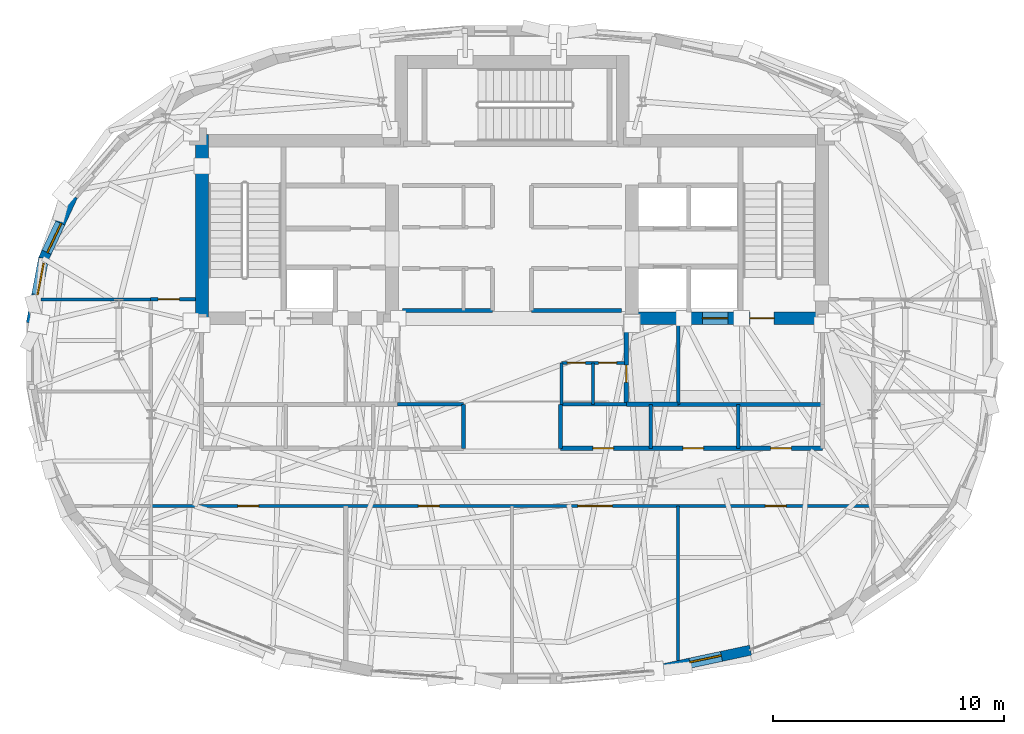
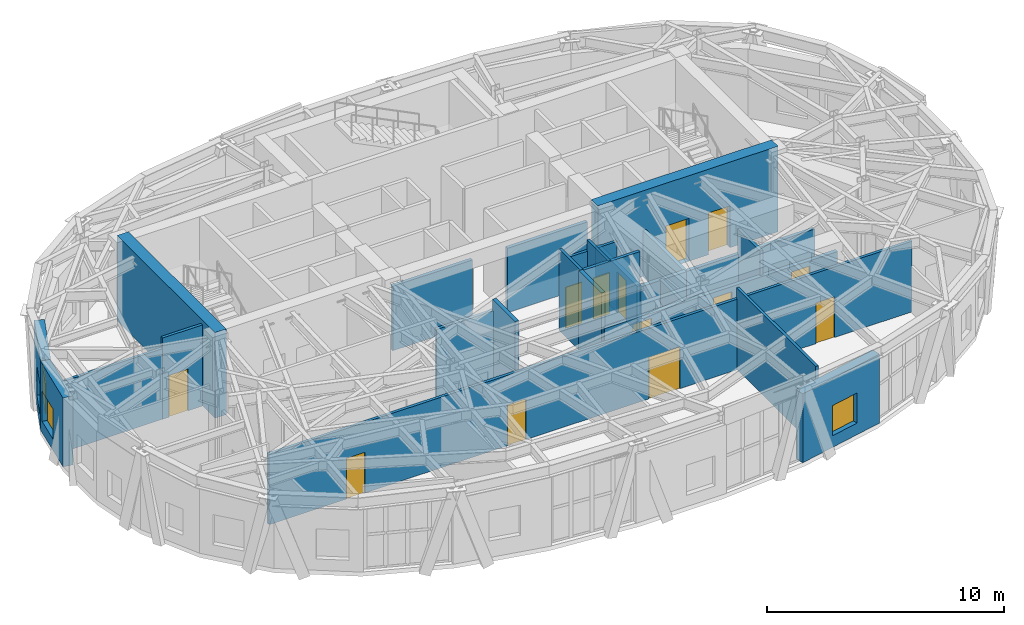
# One storey, part 9 of 15: 25 walls, 13 doors, 3 windows, 16 openings.
"""IFC4 building model written with IfcOpenShell, lengths in metres."""

from ifc_helpers import new_model, si_unit, direction, frame, frame_2d, origin, place, context, subcontext, project, spatial, rectangle, extrude, material, layer, layer_set, type_object, element, fill, save


model = new_model("IFC4")

# Units and contexts
model_context = context("Model", 3, precision=1e-05, world=origin(), true_north=direction((0.0, 1.0)))
body_context = subcontext(model_context, "Body", "Model", "MODEL_VIEW")
ifc_project = project(units=[si_unit("LENGTHUNIT", "METRE"), si_unit("AREAUNIT", "SQUARE_METRE"), si_unit("VOLUMEUNIT", "CUBIC_METRE"), si_unit("PLANEANGLEUNIT", "RADIAN"), si_unit("MASSUNIT", "GRAM", prefix="KILO")], contexts=[model_context])

# Site, building, storey
site_placement = place(None, origin())
site = spatial("IfcSite", under=ifc_project, at=site_placement, CompositionType="ELEMENT")
building_placement = place(site_placement, origin())
building = spatial("IfcBuilding", under=site, at=building_placement, Name="Keldmark Tower", CompositionType="ELEMENT")
storey_placement = place(building_placement, frame((0.0, 0.0, 260.39990234375)))
storey = spatial("IfcBuildingStorey", under=building, at=storey_placement, Name="L74", CompositionType="ELEMENT", Elevation=260.39990234375)

# Wall, openings, doors
ifc_material_1 = material(Name="Acoustic Double-Layer Gypsum Corridor Partition", Category="gypsum")
ifc_layer_1 = layer(ifc_material_1, 0.139892578125)
ifc_layer_set_1 = layer_set([ifc_layer_1], Name="Acoustic Double-Layer Gypsum Corridor Partition")
wall_type_1 = type_object("IfcWallType", Name="Acoustic Corridor Partition 140 mm", PredefinedType="PARTITIONING", material=ifc_layer_set_1)
wall_1_placement = place(storey_placement, frame((-15.64990234375, -6.550048828125, 0.0), z_axis=(0.0, 0.0, 1.0), x_axis=(1.0, 0.0, 0.0)))
wall_1 = element("IfcWall", 1, at=wall_1_placement, inside=storey, type_object=wall_type_1, Name="L74 Acoustic Corridor Partition 140 mm COR-S", PredefinedType="PARTITIONING", context=body_context, shape_type="SweptSolid", body=[
    extrude(rectangle(XDim=31.2998046875, YDim=0.139892578125, at=frame_2d((15.64990234375, 0.0))), origin(), (0.0, 0.0, 1.0), 3.633056640625),
])
opening_1_placement = place(wall_1_placement, frame((3.77490234375, 0.0, 0.0)))
opening_1 = element("IfcOpeningElement", 2, at=opening_1_placement, cuts=wall_1, Name="Opening D-IN090", PredefinedType="OPENING", context=body_context, shape_type="SweptSolid", body=[
    extrude(rectangle(XDim=0.89990234375, YDim=2.10009765625, at=frame_2d((0.449951171875, 1.050048828125))), frame((0.0, 0.079833984375, 0.0), z_axis=(0.0, -1.0, 0.0), x_axis=(1.0, 0.0, 0.0)), (0.0, 0.0, 1.0), 0.159912109375),
])
opening_2_placement = place(wall_1_placement, frame((11.60009765625, 0.0, 0.0)))
opening_2 = element("IfcOpeningElement", 3, at=opening_2_placement, cuts=wall_1, Name="Opening D-IN090", PredefinedType="OPENING", context=body_context, shape_type="SweptSolid", body=[
    extrude(rectangle(XDim=0.89990234375, YDim=2.10009765625, at=frame_2d((0.449951171875, 1.050048828125))), frame((0.0, 0.079833984375, 0.0), z_axis=(0.0, -1.0, 0.0), x_axis=(1.0, 0.0, 0.0)), (0.0, 0.0, 1.0), 0.159912109375),
])
opening_3_placement = place(wall_1_placement, frame((18.5, 0.0, 0.0)))
opening_3 = element("IfcOpeningElement", 4, at=opening_3_placement, cuts=wall_1, Name="Opening D-CF150", PredefinedType="OPENING", context=body_context, shape_type="SweptSolid", body=[
    extrude(rectangle(XDim=1.5, YDim=2.14990234375, at=frame_2d((0.75, 1.074951171875))), frame((0.0, 0.079833984375, 0.0), z_axis=(0.0, -1.0, 0.0), x_axis=(1.0, 0.0, 0.0)), (0.0, 0.0, 1.0), 0.159912109375),
])
opening_4_placement = place(wall_1_placement, frame((26.625, 0.0, 0.0)))
opening_4 = element("IfcOpeningElement", 5, at=opening_4_placement, cuts=wall_1, Name="Opening D-IN090", PredefinedType="OPENING", context=body_context, shape_type="SweptSolid", body=[
    extrude(rectangle(XDim=0.89990234375, YDim=2.10009765625, at=frame_2d((0.449951171875, 1.050048828125))), frame((0.0, 0.079833984375, 0.0), z_axis=(0.0, -1.0, 0.0), x_axis=(1.0, 0.0, 0.0)), (0.0, 0.0, 1.0), 0.159912109375),
])
ifc_material_2 = material(Name="Acoustic Timber and Tempered Glass Double Door", Category="wood")
door_type_1 = type_object("IfcDoorType", Name="Conference Double Door 1500x2150", OperationType="DOUBLE_DOOR_SINGLE_SWING", PredefinedType="DOOR", material=ifc_material_2)
door_1_placement = place(opening_3_placement, origin())
door_1 = element("IfcDoor", 6, at=door_1_placement, inside=storey, type_object=door_type_1, Name="L74 Conference Double Door 1500x2150 D-SR-3-L74", OperationType="DOUBLE_DOOR_SINGLE_SWING", OverallHeight=2.14990234375, OverallWidth=1.5, PredefinedType="DOOR", context=body_context, shape_type="SweptSolid", body=[
    extrude(rectangle(XDim=1.5, YDim=2.14990234375, at=frame_2d((0.75, 1.074951171875))), frame((0.0, 0.02490234375, 0.0), z_axis=(0.0, -1.0, 0.0), x_axis=(1.0, 0.0, 0.0)), (0.0, 0.0, 1.0), 0.050048828125),
])
fill(opening_3, door_1)
ifc_material_3 = material(Name="Stained American White Oak Veneer", Category="wood")
door_type_2 = type_object("IfcDoorType", Name="Interior Door 900x2100", OperationType="NOTDEFINED", PredefinedType="DOOR", material=ifc_material_3)
door_2_placement = place(opening_1_placement, origin())
door_2 = element("IfcDoor", 7, at=door_2_placement, inside=storey, type_object=door_type_2, Name="L74 Interior Door 900x2100 D-SR-1-L74", OperationType="SINGLE_SWING_LEFT", OverallHeight=2.10009765625, OverallWidth=0.89990234375, PredefinedType="DOOR", context=body_context, shape_type="SweptSolid", body=[
    extrude(rectangle(XDim=0.89990234375, YDim=2.10009765625, at=frame_2d((0.449951171875, 1.050048828125))), frame((0.0, 0.02490234375, 0.0), z_axis=(0.0, -1.0, 0.0), x_axis=(1.0, 0.0, 0.0)), (0.0, 0.0, 1.0), 0.050048828125),
])
fill(opening_1, door_2)
door_3_placement = place(opening_2_placement, origin())
door_3 = element("IfcDoor", 8, at=door_3_placement, inside=storey, type_object=door_type_2, Name="L74 Interior Door 900x2100 D-SR-2-L74", OperationType="SINGLE_SWING_RIGHT", OverallHeight=2.10009765625, OverallWidth=0.89990234375, PredefinedType="DOOR", context=body_context, shape_type="SweptSolid", body=[
    extrude(rectangle(XDim=0.89990234375, YDim=2.10009765625, at=frame_2d((0.449951171875, 1.050048828125))), frame((0.0, 0.02490234375, 0.0), z_axis=(0.0, -1.0, 0.0), x_axis=(1.0, 0.0, 0.0)), (0.0, 0.0, 1.0), 0.050048828125),
])
fill(opening_2, door_3)
door_4_placement = place(opening_4_placement, origin())
door_4 = element("IfcDoor", 9, at=door_4_placement, inside=storey, type_object=door_type_2, Name="L74 Interior Door 900x2100 D-SR-4-L74", OperationType="SINGLE_SWING_RIGHT", OverallHeight=2.10009765625, OverallWidth=0.89990234375, PredefinedType="DOOR", context=body_context, shape_type="SweptSolid", body=[
    extrude(rectangle(XDim=0.89990234375, YDim=2.10009765625, at=frame_2d((0.449951171875, 1.050048828125))), frame((0.0, 0.02490234375, 0.0), z_axis=(0.0, -1.0, 0.0), x_axis=(1.0, 0.0, 0.0)), (0.0, 0.0, 1.0), 0.050048828125),
])
fill(opening_4, door_4)

# Wall, opening, door
wall_2_placement = place(storey_placement, frame((-15.64990234375, 2.39990234375, 0.0), z_axis=(0.0, 0.0, 1.0), x_axis=(1.0, 0.0, 0.0)))
wall_2 = element("IfcWall", 10, at=wall_2_placement, inside=storey, type_object=wall_type_1, Name="L74 Acoustic Corridor Partition 140 mm COR-WN-CAP", PredefinedType="PARTITIONING", context=body_context, shape_type="SweptSolid", body=[
    extrude(rectangle(XDim=1.949951171875, YDim=0.139892578125, at=frame_2d((0.97509765625, 0.0))), origin(), (0.0, 0.0, 1.0), 4.18017578125),
])
opening_5_placement = place(wall_2_placement, frame((0.320068359375, 0.0, 0.0)))
opening_5 = element("IfcOpeningElement", 11, at=opening_5_placement, cuts=wall_2, Name="Opening D-EX092", PredefinedType="OPENING", context=body_context, shape_type="SweptSolid", body=[
    extrude(rectangle(XDim=0.919921875, YDim=2.14990234375, at=frame_2d((0.4599609375, 1.074951171875))), frame((0.0, 0.079833984375, 0.0), z_axis=(0.0, -1.0, 0.0), x_axis=(1.0, 0.0, 0.0)), (0.0, 0.0, 1.0), 0.159912109375),
])
ifc_material_4 = material(Name="Flush American Ash Executive Office Door", Category="wood")
door_type_3 = type_object("IfcDoorType", Name="Executive Office Door 920x2150", OperationType="NOTDEFINED", PredefinedType="DOOR", material=ifc_material_4)
door_5_placement = place(opening_5_placement, origin())
door_5 = element("IfcDoor", 12, at=door_5_placement, inside=storey, type_object=door_type_3, Name="L74 Executive Office Door 920x2150 D-NRNW-L74", OperationType="SINGLE_SWING_LEFT", OverallHeight=2.14990234375, OverallWidth=0.919921875, PredefinedType="DOOR", context=body_context, shape_type="SweptSolid", body=[
    extrude(rectangle(XDim=0.919921875, YDim=2.14990234375, at=frame_2d((0.4599609375, 1.074951171875))), frame((0.0, 0.02490234375, 0.0), z_axis=(0.0, -1.0, 0.0), x_axis=(1.0, 0.0, 0.0)), (0.0, 0.0, 1.0), 0.050048828125),
])
fill(opening_5, door_5)

# Wall
ifc_material_5 = material(Name="Heavy Acoustic Plumbing Chase Gypsum Assembly", Category="gypsum")
ifc_layer_2 = layer(ifc_material_5, 0.18994140625)
ifc_layer_set_2 = layer_set([ifc_layer_2], Name="Heavy Acoustic Plumbing Chase Gypsum Assembly")
wall_type_2 = type_object("IfcWallType", Name="Heavy Wet Wall 190 mm", PredefinedType="PLUMBINGWALL", material=ifc_layer_set_2)
wall_3_placement = place(storey_placement, frame((-2.10009765625, -4.050048828125, 0.0), z_axis=(0.0, 0.0, 1.0), x_axis=(0.0, 1.0, 0.0)))
element("IfcWall", 13, at=wall_3_placement, inside=storey, type_object=wall_type_2, Name="L74 Heavy Wet Wall 190 mm SPK-W-E", PredefinedType="PLUMBINGWALL", context=body_context, shape_type="SweptSolid", body=[
    extrude(rectangle(XDim=1.900146484375, YDim=0.18994140625, at=frame_2d((0.9501953125, 0.0))), origin(), (0.0, 0.0, 1.0), 4.18017578125),
])

# Wall, openings, doors
wall_4_placement = place(storey_placement, frame((2.10009765625, -4.050048828125, 0.0), z_axis=(0.0, 0.0, 1.0), x_axis=(1.0, 0.0, 0.0)))
wall_4 = element("IfcWall", 14, at=wall_4_placement, inside=storey, type_object=wall_type_2, Name="L74 Heavy Wet Wall 190 mm SPK-E-S", PredefinedType="PLUMBINGWALL", context=body_context, shape_type="SweptSolid", body=[
    extrude(rectangle(XDim=11.349853515625, YDim=0.18994140625, at=frame_2d((5.6748046875, 0.0))), origin(), (0.0, 0.0, 1.0), 2.3701171875),
])
opening_6_placement = place(wall_4_placement, frame((1.39990234375, 0.0, 0.0)))
opening_6 = element("IfcOpeningElement", 15, at=opening_6_placement, cuts=wall_4, Name="Opening D-IN090", PredefinedType="OPENING", context=body_context, shape_type="SweptSolid", body=[
    extrude(rectangle(XDim=0.89990234375, YDim=2.10009765625, at=frame_2d((0.449951171875, 1.050048828125))), frame((0.0, 0.10498046875, 0.0), z_axis=(0.0, -1.0, 0.0), x_axis=(1.0, 0.0, 0.0)), (0.0, 0.0, 1.0), 0.2099609375),
])
opening_7_placement = place(wall_4_placement, frame((5.300048828125, 0.0, 0.0)))
opening_7 = element("IfcOpeningElement", 16, at=opening_7_placement, cuts=wall_4, Name="Opening D-IN090", PredefinedType="OPENING", context=body_context, shape_type="SweptSolid", body=[
    extrude(rectangle(XDim=0.89990234375, YDim=2.10009765625, at=frame_2d((0.449951171875, 1.050048828125))), frame((0.0, 0.10498046875, 0.0), z_axis=(0.0, -1.0, 0.0), x_axis=(1.0, 0.0, 0.0)), (0.0, 0.0, 1.0), 0.2099609375),
])
opening_8_placement = place(wall_4_placement, frame((9.10009765625, 0.0, 0.0)))
opening_8 = element("IfcOpeningElement", 17, at=opening_8_placement, cuts=wall_4, Name="Opening D-IN090", PredefinedType="OPENING", context=body_context, shape_type="SweptSolid", body=[
    extrude(rectangle(XDim=0.89990234375, YDim=2.10009765625, at=frame_2d((0.449951171875, 1.050048828125))), frame((0.0, 0.10498046875, 0.0), z_axis=(0.0, -1.0, 0.0), x_axis=(1.0, 0.0, 0.0)), (0.0, 0.0, 1.0), 0.2099609375),
])
door_6_placement = place(opening_6_placement, origin())
door_6 = element("IfcDoor", 18, at=door_6_placement, inside=storey, type_object=door_type_2, Name="L74 Interior Door 900x2100 D-SPKE1-L74", OperationType="SINGLE_SWING_RIGHT", OverallHeight=2.10009765625, OverallWidth=0.89990234375, PredefinedType="DOOR", context=body_context, shape_type="SweptSolid", body=[
    extrude(rectangle(XDim=0.89990234375, YDim=2.10009765625, at=frame_2d((0.449951171875, 1.050048828125))), frame((0.0, 0.02490234375, 0.0), z_axis=(0.0, -1.0, 0.0), x_axis=(1.0, 0.0, 0.0)), (0.0, 0.0, 1.0), 0.050048828125),
])
fill(opening_6, door_6)
door_7_placement = place(opening_7_placement, origin())
door_7 = element("IfcDoor", 19, at=door_7_placement, inside=storey, type_object=door_type_2, Name="L74 Interior Door 900x2100 D-SPKE2-L74", OperationType="SINGLE_SWING_LEFT", OverallHeight=2.10009765625, OverallWidth=0.89990234375, PredefinedType="DOOR", context=body_context, shape_type="SweptSolid", body=[
    extrude(rectangle(XDim=0.89990234375, YDim=2.10009765625, at=frame_2d((0.449951171875, 1.050048828125))), frame((0.0, 0.02490234375, 0.0), z_axis=(0.0, -1.0, 0.0), x_axis=(1.0, 0.0, 0.0)), (0.0, 0.0, 1.0), 0.050048828125),
])
fill(opening_7, door_7)
door_8_placement = place(opening_8_placement, origin())
door_8 = element("IfcDoor", 20, at=door_8_placement, inside=storey, type_object=door_type_2, Name="L74 Interior Door 900x2100 D-SPKE3-L74", OperationType="SINGLE_SWING_RIGHT", OverallHeight=2.10009765625, OverallWidth=0.89990234375, PredefinedType="DOOR", context=body_context, shape_type="SweptSolid", body=[
    extrude(rectangle(XDim=0.89990234375, YDim=2.10009765625, at=frame_2d((0.449951171875, 1.050048828125))), frame((0.0, 0.02490234375, 0.0), z_axis=(0.0, -1.0, 0.0), x_axis=(1.0, 0.0, 0.0)), (0.0, 0.0, 1.0), 0.050048828125),
])
fill(opening_8, door_8)

# Walls
wall_5_placement = place(storey_placement, frame((2.10009765625, -4.050048828125, 0.0), z_axis=(0.0, 0.0, 1.0), x_axis=(0.0, 1.0, 0.0)))
element("IfcWall", 21, at=wall_5_placement, inside=storey, type_object=wall_type_2, Name="L74 Heavy Wet Wall 190 mm SPK-E-W", PredefinedType="PLUMBINGWALL", context=body_context, shape_type="SweptSolid", body=[
    extrude(rectangle(XDim=1.900146484375, YDim=0.18994140625, at=frame_2d((0.9501953125, 0.0))), origin(), (0.0, 0.0, 1.0), 4.18017578125),
])
ifc_material_6 = material(Name="Concrete C50/60", Category="concrete")
ifc_layer_3 = layer(ifc_material_6, 0.550048828125)
ifc_layer_set_3 = layer_set([ifc_layer_3], Name="Concrete C50/60")
wall_type_3 = type_object("IfcWallType", Name="High-Rise Core Shear Wall 550 mm", PredefinedType="SHEAR", material=ifc_layer_set_3)
wall_6_placement = place(storey_placement, frame((-13.425048828125, 1.300048828125, 0.0), z_axis=(0.0, 0.0, 1.0), x_axis=(0.0, 1.0, 0.0)))
element("IfcWall", 22, at=wall_6_placement, inside=storey, type_object=wall_type_3, Name="L74 West Core Outer Shear Wall", PredefinedType="SHEAR", context=body_context, shape_type="SweptSolid", body=[
    extrude(rectangle(XDim=8.25, YDim=0.550048828125, at=frame_2d((4.125, 0.0))), origin(), (0.0, 0.0, 1.0), 4.400146484375),
])

# Wall, openings, doors
wall_7_placement = place(storey_placement, frame((13.699951171875, 1.574951171875, 0.0), z_axis=(0.0, 0.0, 1.0), x_axis=(-1.0, 0.0, 0.0)))
wall_7 = element("IfcWall", 23, at=wall_7_placement, inside=storey, type_object=wall_type_3, Name="L74 East Core South Shear Wall", PredefinedType="SHEAR", context=body_context, shape_type="SweptSolid", body=[
    extrude(rectangle(XDim=8.77490234375, YDim=0.550048828125, at=frame_2d((4.387451171875, 0.0))), origin(), (0.0, 0.0, 1.0), 4.400146484375),
])
opening_9_placement = place(wall_7_placement, frame((2.35009765625, 0.0, 0.0)))
opening_9 = element("IfcOpeningElement", 24, at=opening_9_placement, cuts=wall_7, Name="Opening D-ST105", PredefinedType="OPENING", context=body_context, shape_type="SweptSolid", body=[
    extrude(rectangle(XDim=1.050048828125, YDim=2.14990234375, at=frame_2d((0.52490234375, 1.074951171875))), frame((0.0, 0.284912109375, 0.0), z_axis=(0.0, -1.0, 0.0), x_axis=(1.0, 0.0, 0.0)), (0.0, 0.0, 1.0), 0.570068359375),
])
opening_10_placement = place(wall_7_placement, frame((4.35009765625, 0.0, 0.0)))
opening_10 = element("IfcOpeningElement", 25, at=opening_10_placement, cuts=wall_7, Name="Opening LD-110", PredefinedType="OPENING", context=body_context, shape_type="SweptSolid", body=[
    extrude(rectangle(XDim=1.10009765625, YDim=2.199951171875, at=frame_2d((0.550048828125, 1.10009765625))), frame((0.0, 0.284912109375, 0.0), z_axis=(0.0, -1.0, 0.0), x_axis=(1.0, 0.0, 0.0)), (0.0, 0.0, 1.0), 0.570068359375),
])
ifc_material_7 = material(Name="Brushed Bronze Hoistway Sliding Leaf", Category="metal")
door_type_4 = type_object("IfcDoorType", Name="Lift Landing Sliding Door 1100x2200", OperationType="SLIDING_TO_LEFT", PredefinedType="DOOR", material=ifc_material_7)
door_9_placement = place(opening_10_placement, origin())
door_9 = element("IfcDoor", 26, at=door_9_placement, inside=storey, type_object=door_type_4, Name="L74 Lift Landing Sliding Door 1100x2200 LD-EL-FS2-L74", OperationType="SLIDING_TO_LEFT", OverallHeight=2.199951171875, OverallWidth=1.10009765625, PredefinedType="DOOR", context=body_context, shape_type="SweptSolid", body=[
    extrude(rectangle(XDim=1.10009765625, YDim=2.199951171875, at=frame_2d((0.550048828125, 1.10009765625))), frame((0.0, 0.02490234375, 0.0), z_axis=(0.0, -1.0, 0.0), x_axis=(1.0, 0.0, 0.0)), (0.0, 0.0, 1.0), 0.050048828125),
])
fill(opening_10, door_9)
ifc_material_8 = material(Name="Hollow Metal Fire-Rated Door Assembly", Category="metal")
door_type_5 = type_object("IfcDoorType", Name="Stair Fire Door 1050x2150", OperationType="NOTDEFINED", PredefinedType="DOOR", material=ifc_material_8)
door_10_placement = place(opening_9_placement, origin())
door_10 = element("IfcDoor", 27, at=door_10_placement, inside=storey, type_object=door_type_5, Name="L74 Stair Fire Door 1050x2150 D-ST2-L74", OperationType="SINGLE_SWING_LEFT", OverallHeight=2.14990234375, OverallWidth=1.050048828125, PredefinedType="DOOR", context=body_context, shape_type="SweptSolid", body=[
    extrude(rectangle(XDim=1.050048828125, YDim=2.14990234375, at=frame_2d((0.52490234375, 1.074951171875))), frame((0.0, 0.02490234375, 0.0), z_axis=(0.0, -1.0, 0.0), x_axis=(1.0, 0.0, 0.0)), (0.0, 0.0, 1.0), 0.050048828125),
])
fill(opening_9, door_10)

ifc_material_9 = material(Name="Acoustic Gypsum Board Interior Partition", Category="gypsum")
ifc_layer_4 = layer(ifc_material_9, 0.1298828125)
ifc_layer_set_4 = layer_set([ifc_layer_4], Name="Acoustic Gypsum Board Interior Partition")
wall_type_4 = type_object("IfcWallType", Name="Interior Partition 130 mm", PredefinedType="PARTITIONING", material=ifc_layer_set_4)
wall_8_placement = place(storey_placement, frame((2.14990234375, -0.35009765625, 0.0), z_axis=(0.0, 0.0, 1.0), x_axis=(1.0, 0.0, 0.0)))
wall_8 = element("IfcWall", 28, at=wall_8_placement, inside=storey, type_object=wall_type_4, Name="L74 Interior Partition 130 mm CSC-E-N", PredefinedType="PARTITIONING", context=body_context, shape_type="SweptSolid", body=[
    extrude(rectangle(XDim=2.72998046875, YDim=0.1298828125, at=frame_2d((1.364990234375, 0.0))), origin(), (0.0, 0.0, 1.0), 3.633056640625),
])
opening_11_placement = place(wall_8_placement, frame((0.25, 0.0, 0.0)))
opening_11 = element("IfcOpeningElement", 29, at=opening_11_placement, cuts=wall_8, Name="Opening D-CL078", PredefinedType="OPENING", context=body_context, shape_type="SweptSolid", body=[
    extrude(rectangle(XDim=0.780029296875, YDim=2.10009765625, at=frame_2d((0.39013671875, 1.050048828125))), frame((0.0, 0.074951171875, 0.0), z_axis=(0.0, -1.0, 0.0), x_axis=(1.0, 0.0, 0.0)), (0.0, 0.0, 1.0), 0.14990234375),
])
opening_12_placement = place(wall_8_placement, frame((1.60009765625, 0.0, 0.0)))
opening_12 = element("IfcOpeningElement", 30, at=opening_12_placement, cuts=wall_8, Name="Opening D-CL078", PredefinedType="OPENING", context=body_context, shape_type="SweptSolid", body=[
    extrude(rectangle(XDim=0.780029296875, YDim=2.10009765625, at=frame_2d((0.39013671875, 1.050048828125))), frame((0.0, 0.074951171875, 0.0), z_axis=(0.0, -1.0, 0.0), x_axis=(1.0, 0.0, 0.0)), (0.0, 0.0, 1.0), 0.14990234375),
])
ifc_material_10 = material(Name="Flush Utility Closet Timber Door", Category="wood")
door_type_6 = type_object("IfcDoorType", Name="Closet Door 780x2100", OperationType="NOTDEFINED", PredefinedType="DOOR", material=ifc_material_10)
door_11_placement = place(opening_11_placement, origin())
door_11 = element("IfcDoor", 31, at=door_11_placement, inside=storey, type_object=door_type_6, Name="L74 Closet Door 780x2100 D-CSCE1-L74", OperationType="SINGLE_SWING_RIGHT", OverallHeight=2.10009765625, OverallWidth=0.780029296875, PredefinedType="DOOR", context=body_context, shape_type="SweptSolid", body=[
    extrude(rectangle(XDim=0.780029296875, YDim=2.10009765625, at=frame_2d((0.39013671875, 1.050048828125))), frame((0.0, 0.02490234375, 0.0), z_axis=(0.0, -1.0, 0.0), x_axis=(1.0, 0.0, 0.0)), (0.0, 0.0, 1.0), 0.050048828125),
])
fill(opening_11, door_11)
door_12_placement = place(opening_12_placement, origin())
door_12 = element("IfcDoor", 32, at=door_12_placement, inside=storey, type_object=door_type_6, Name="L74 Closet Door 780x2100 D-CSCE2-L74", OperationType="SINGLE_SWING_RIGHT", OverallHeight=2.10009765625, OverallWidth=0.780029296875, PredefinedType="DOOR", context=body_context, shape_type="SweptSolid", body=[
    extrude(rectangle(XDim=0.780029296875, YDim=2.10009765625, at=frame_2d((0.39013671875, 1.050048828125))), frame((0.0, 0.02490234375, 0.0), z_axis=(0.0, -1.0, 0.0), x_axis=(1.0, 0.0, 0.0)), (0.0, 0.0, 1.0), 0.050048828125),
])
fill(opening_12, door_12)

# Walls
for number, where, z_axis, x_axis, name in (
    (33, (2.14990234375, -2.14990234375, 0.0), (0.0, 0.0, 1.0), (0.0, 1.0, 0.0), "L74 Interior Partition 130 mm CSC-E-W"),
    (34, (3.5, -2.14990234375, 0.0), (0.0, 0.0, 1.0), (0.0, 1.0, 0.0), "L74 Interior Partition 130 mm CSC-E-M"),
):
    element("IfcWall", number, at=place(storey_placement, frame(where, z_axis=z_axis, x_axis=x_axis)), inside=storey, type_object=wall_type_4, Name=name, PredefinedType="PARTITIONING", context=body_context, shape_type="SweptSolid", body=[
        extrude(rectangle(XDim=1.7998046875, YDim=0.1298828125, at=frame_2d((0.89990234375, 0.0))), origin(), (0.0, 0.0, 1.0), 4.18017578125),
    ])
wall_9_placement = place(storey_placement, frame((7.199951171875, -13.23095703125, 0.0), z_axis=(0.0, 0.0, 1.0), x_axis=(0.0, 1.0, 0.0)))
element("IfcWall", 35, at=wall_9_placement, inside=storey, type_object=wall_type_4, Name="L74 Interior Partition 130 mm S-DIV-3", PredefinedType="PARTITIONING", context=body_context, shape_type="SweptSolid", body=[
    extrude(rectangle(XDim=6.680908203125, YDim=0.1298828125, at=frame_2d((3.34033203125, 0.0))), origin(), (0.0, 0.0, 1.0), 4.18017578125),
])
wall_10_placement = place(storey_placement, frame((-20.3896484375, 2.39990234375, 0.0), z_axis=(0.0, 0.0, 1.0), x_axis=(1.0, 0.0, 0.0)))
element("IfcWall", 36, at=wall_10_placement, inside=storey, type_object=wall_type_4, Name="L74 Interior Partition 130 mm W-CAP-N", PredefinedType="PARTITIONING", context=body_context, shape_type="SweptSolid", body=[
    extrude(rectangle(XDim=4.73974609375, YDim=0.1298828125, at=frame_2d((2.369873046875, 0.0))), origin(), (0.0, 0.0, 1.0), 3.633056640625),
])
ifc_material_11 = material(Name="Type X Fire-Rated Gypsum Partition Assembly", Category="gypsum")
ifc_layer_5 = layer(ifc_material_11, 0.1650390625)
ifc_layer_set_5 = layer_set([ifc_layer_5], Name="Type X Fire-Rated Gypsum Partition Assembly")
wall_type_5 = type_object("IfcWallType", Name="Rated Partition 165 mm", PredefinedType="PARTITIONING", material=ifc_layer_set_5)
wall_11_placement = place(storey_placement, frame((7.199951171875, -2.14990234375, 0.0), z_axis=(0.0, 0.0, 1.0), x_axis=(1.0, 0.0, 0.0)))
element("IfcWall", 37, at=wall_11_placement, inside=storey, type_object=wall_type_5, Name="L74 Rated Partition 165 mm FSAE-E-S", PredefinedType="PARTITIONING", context=body_context, shape_type="SweptSolid", body=[
    extrude(rectangle(XDim=6.25, YDim=0.1650390625, at=frame_2d((3.125, 0.0))), origin(), (0.0, 0.0, 1.0), 2.3701171875),
])
wall_12_placement = place(storey_placement, frame((7.199951171875, -2.14990234375, 0.0), z_axis=(0.0, 0.0, 1.0), x_axis=(0.0, 1.0, 0.0)))
element("IfcWall", 38, at=wall_12_placement, inside=storey, type_object=wall_type_5, Name="L74 Rated Partition 165 mm FSAE-E-W", PredefinedType="PARTITIONING", context=body_context, shape_type="SweptSolid", body=[
    extrude(rectangle(XDim=3.5, YDim=0.1650390625, at=frame_2d((1.75, 0.0))), origin(), (0.0, 0.0, 1.0), 2.3701171875),
])
for number, where, z_axis, x_axis, name in (
    (39, (-4.739990234375, 1.919921875, 0.0), (0.0, 0.0, 1.0), (1.0, 0.0, 0.0), "L74 Rated Partition 165 mm REC-LW-S"),
    (40, (0.85009765625, 1.919921875, 0.0), (0.0, 0.0, 1.0), (1.0, 0.0, 0.0), "L74 Rated Partition 165 mm REC-LE-S"),
):
    element("IfcWall", number, at=place(storey_placement, frame(where, z_axis=z_axis, x_axis=x_axis)), inside=storey, type_object=wall_type_5, Name=name, PredefinedType="PARTITIONING", context=body_context, shape_type="SweptSolid", body=[
        extrude(rectangle(XDim=3.889892578125, YDim=0.1650390625, at=frame_2d((1.94482421875, 0.0))), origin(), (0.0, 0.0, 1.0), 3.320068359375),
    ])
ifc_material_12 = material(Name="Fire-Resistant Type X Gypsum Shaftliner Coreboard", Category="gypsum")
ifc_layer_6 = layer(ifc_material_12, 0.199951171875)
ifc_layer_set_6 = layer_set([ifc_layer_6], Name="Fire-Resistant Type X Gypsum Shaftliner Coreboard")
wall_type_6 = type_object("IfcWallType", Name="Shaft Wall 200 mm", PredefinedType="SOLIDWALL", material=ifc_layer_set_6)
wall_13_placement = place(storey_placement, frame((4.949951171875, -2.14990234375, 0.0), z_axis=(0.0, 0.0, 1.0), x_axis=(1.0, 0.0, 0.0)))
element("IfcWall", 41, at=wall_13_placement, inside=storey, type_object=wall_type_6, Name="L74 Shaft Wall 200 mm RIS-SE-S", PredefinedType="SOLIDWALL", context=body_context, shape_type="SweptSolid", body=[
    extrude(rectangle(XDim=2.25, YDim=0.199951171875, at=frame_2d((1.125, 0.0))), origin(), (0.0, 0.0, 1.0), 2.3701171875),
])

# Wall, opening, door
wall_14_placement = place(storey_placement, frame((4.949951171875, -2.14990234375, 0.0), z_axis=(0.0, 0.0, 1.0), x_axis=(0.0, 1.0, 0.0)))
wall_14 = element("IfcWall", 42, at=wall_14_placement, inside=storey, type_object=wall_type_6, Name="L74 Shaft Wall 200 mm RIS-SE-W", PredefinedType="SOLIDWALL", context=body_context, shape_type="SweptSolid", body=[
    extrude(rectangle(XDim=3.5, YDim=0.199951171875, at=frame_2d((1.75, 0.0))), origin(), (0.0, 0.0, 1.0), 2.3701171875),
])
opening_13_placement = place(wall_14_placement, frame((0.949951171875, 0.0, 0.0)))
opening_13 = element("IfcOpeningElement", 43, at=opening_13_placement, cuts=wall_14, Name="Opening D-RS075", PredefinedType="OPENING", context=body_context, shape_type="SweptSolid", body=[
    extrude(rectangle(XDim=0.75, YDim=2.10009765625, at=frame_2d((0.375, 1.050048828125))), frame((0.0, 0.10986328125, 0.0), z_axis=(0.0, -1.0, 0.0), x_axis=(1.0, 0.0, 0.0)), (0.0, 0.0, 1.0), 0.219970703125),
])
ifc_material_13 = material(Name="Galvanized Fire-Rated Access Leaf", Category="metal")
door_type_7 = type_object("IfcDoorType", Name="Riser Access Door 750x2100", OperationType="NOTDEFINED", PredefinedType="DOOR", material=ifc_material_13)
door_13_placement = place(opening_13_placement, origin())
door_13 = element("IfcDoor", 44, at=door_13_placement, inside=storey, type_object=door_type_7, Name="L74 Riser Access Door 750x2100 D-RISSE-L74", OperationType="SINGLE_SWING_RIGHT", OverallHeight=2.10009765625, OverallWidth=0.75, PredefinedType="DOOR", context=body_context, shape_type="SweptSolid", body=[
    extrude(rectangle(XDim=0.75, YDim=2.10009765625, at=frame_2d((0.375, 1.050048828125))), frame((0.0, 0.02490234375, 0.0), z_axis=(0.0, -1.0, 0.0), x_axis=(1.0, 0.0, 0.0)), (0.0, 0.0, 1.0), 0.050048828125),
])
fill(opening_13, door_13)

# Wall, opening, window
ifc_material_14 = material(Name="Ironspot Manganese Brick and Kasota Buff Limestone Spandrel Assembly", Category="masonry")
ifc_layer_7 = layer(ifc_material_14, 0.43994140625)
ifc_layer_set_7 = layer_set([ifc_layer_7], Name="Ironspot Manganese Brick and Kasota Buff Limestone Spandrel Assembly")
wall_type_7 = type_object("IfcWallType", Name="Tower Brick Pier and Spandrel Wall 440 mm", PredefinedType="STANDARD", material=ifc_layer_set_7)
wall_15_placement = place(storey_placement, frame((-20.302978515625, 4.123291015625, 0.0), z_axis=(0.0, 0.0, 1.0), x_axis=(0.422378607623, 0.906419501016, 0.0)))
wall_15 = element("IfcWall", 45, at=wall_15_placement, inside=storey, type_object=wall_type_7, Name="L74 Exterior Brick and Spandrel Wall 14", PredefinedType="STANDARD", context=body_context, shape_type="SweptSolid", body=[
    extrude(rectangle(XDim=3.032958984375, YDim=0.43994140625, at=frame_2d((1.5166015625, 0.0))), origin(), (0.0, 0.0, 1.0), 3.546142578125),
])
opening_14_placement = place(wall_15_placement, frame((0.347900390625, 0.0, 0.580078125)))
opening_14 = element("IfcOpeningElement", 46, at=opening_14_placement, cuts=wall_15, Name="Opening W-08", PredefinedType="OPENING", context=body_context, shape_type="SweptSolid", body=[
    extrude(rectangle(XDim=1.39990234375, YDim=1.550048828125, at=frame_2d((0.699951171875, 0.77490234375))), frame((0.0, 0.22998046875, 0.0), z_axis=(0.0, -1.0, 0.0), x_axis=(1.0, 0.0, 0.0)), (0.0, 0.0, 1.0), 0.4599609375),
])
ifc_material_15 = material(Name="Thermally Broken Anodized Aluminum and Triple Low-E Argon Glazing", Category="aluminium")
window_type = type_object("IfcWindowType", Name="Residential Corner Punched Window 1400x1550", PartitioningType="SINGLE_PANEL", PredefinedType="WINDOW", material=ifc_material_15)
window_1_placement = place(opening_14_placement, origin())
window_1 = element("IfcWindow", 47, at=window_1_placement, inside=storey, type_object=window_type, Name="L74 Deep-Set Window 14", OverallHeight=1.550048828125, OverallWidth=1.39990234375, PartitioningType="SINGLE_PANEL", PredefinedType="WINDOW", context=body_context, shape_type="SweptSolid", body=[
    extrude(rectangle(XDim=1.39990234375, YDim=1.550048828125, at=frame_2d((0.699951171875, 0.77490234375))), frame((0.0, -0.010009765625, 0.0), z_axis=(0.0, -1.0, 0.0), x_axis=(1.0, 0.0, 0.0)), (0.0, 0.0, 1.0), 0.06005859375),
])
fill(opening_14, window_1)

wall_16_placement = place(storey_placement, frame((-20.8173828125, 1.363525390625, 0.0), z_axis=(0.0, 0.0, 1.0), x_axis=(0.185555519657, 0.982633781795, 0.0)))
wall_16 = element("IfcWall", 48, at=wall_16_placement, inside=storey, type_object=wall_type_7, Name="L74 Exterior Brick and Spandrel Wall 15", PredefinedType="STANDARD", context=body_context, shape_type="SweptSolid", body=[
    extrude(rectangle(XDim=2.86181640625, YDim=0.43994140625, at=frame_2d((1.430908203125, 0.0))), origin(), (0.0, 0.0, 1.0), 3.546142578125),
])
opening_15_placement = place(wall_16_placement, frame((1.26171875, 0.0, 0.580078125)))
opening_15 = element("IfcOpeningElement", 49, at=opening_15_placement, cuts=wall_16, Name="Opening W-08", PredefinedType="OPENING", context=body_context, shape_type="SweptSolid", body=[
    extrude(rectangle(XDim=1.39990234375, YDim=1.550048828125, at=frame_2d((0.699951171875, 0.77490234375))), frame((0.0, 0.22998046875, 0.0), z_axis=(0.0, -1.0, 0.0), x_axis=(1.0, 0.0, 0.0)), (0.0, 0.0, 1.0), 0.4599609375),
])
window_2_placement = place(opening_15_placement, origin())
window_2 = element("IfcWindow", 50, at=window_2_placement, inside=storey, type_object=window_type, Name="L74 Deep-Set Window 15", OverallHeight=1.550048828125, OverallWidth=1.39990234375, PartitioningType="SINGLE_PANEL", PredefinedType="WINDOW", context=body_context, shape_type="SweptSolid", body=[
    extrude(rectangle(XDim=1.39990234375, YDim=1.550048828125, at=frame_2d((0.699951171875, 0.77490234375))), frame((0.0, -0.010009765625, 0.0), z_axis=(0.0, -1.0, 0.0), x_axis=(1.0, 0.0, 0.0)), (0.0, 0.0, 1.0), 0.06005859375),
])
fill(opening_15, window_2)

wall_17_placement = place(storey_placement, frame((10.330810546875, -12.793701171875, 0.0), z_axis=(0.0, 0.0, 1.0), x_axis=(-0.977823681193, -0.209429817596, 0.0)))
wall_17 = element("IfcWall", 51, at=wall_17_placement, inside=storey, type_object=wall_type_7, Name="L74 Exterior Brick and Spandrel Wall 26", PredefinedType="STANDARD", context=body_context, shape_type="SweptSolid", body=[
    extrude(rectangle(XDim=4.366943359375, YDim=0.43994140625, at=frame_2d((2.18359375, 0.0))), origin(), (0.0, 0.0, 1.0), 3.546142578125),
])
opening_16_placement = place(wall_17_placement, frame((1.285888671875, 0.0, 0.60009765625)))
opening_16 = element("IfcOpeningElement", 52, at=opening_16_placement, cuts=wall_17, Name="Opening W-08", PredefinedType="OPENING", context=body_context, shape_type="SweptSolid", body=[
    extrude(rectangle(XDim=1.39990234375, YDim=1.550048828125, at=frame_2d((0.699951171875, 0.77490234375))), frame((0.0, 0.22998046875, 0.0), z_axis=(0.0, -1.0, 0.0), x_axis=(1.0, 0.0, 0.0)), (0.0, 0.0, 1.0), 0.4599609375),
])
window_3_placement = place(opening_16_placement, origin())
window_3 = element("IfcWindow", 53, at=window_3_placement, inside=storey, type_object=window_type, Name="L74 Deep-Set Window 26", OverallHeight=1.550048828125, OverallWidth=1.39990234375, PartitioningType="SINGLE_PANEL", PredefinedType="WINDOW", context=body_context, shape_type="SweptSolid", body=[
    extrude(rectangle(XDim=1.39990234375, YDim=1.550048828125, at=frame_2d((0.699951171875, 0.77490234375))), frame((0.0, -0.010009765625, 0.0), z_axis=(0.0, -1.0, 0.0), x_axis=(1.0, 0.0, 0.0)), (0.0, 0.0, 1.0), 0.06005859375),
])
fill(opening_16, window_3)

# Walls
ifc_material_16 = material(Name="Moisture-Resistant Gypsum Plumbing Partition", Category="gypsum")
ifc_layer_8 = layer(ifc_material_16, 0.14990234375)
ifc_layer_set_8 = layer_set([ifc_layer_8], Name="Moisture-Resistant Gypsum Plumbing Partition")
wall_type_8 = type_object("IfcWallType", Name="Wet Wall 150 mm", PredefinedType="PLUMBINGWALL", material=ifc_layer_set_8)
wall_18_placement = place(storey_placement, frame((-4.949951171875, -2.14990234375, 0.0), z_axis=(0.0, 0.0, 1.0), x_axis=(1.0, 0.0, 0.0)))
element("IfcWall", 54, at=wall_18_placement, inside=storey, type_object=wall_type_8, Name="L74 Wet Wall 150 mm SPK-W-N", PredefinedType="PLUMBINGWALL", context=body_context, shape_type="SweptSolid", body=[
    extrude(rectangle(XDim=2.849853515625, YDim=0.14990234375, at=frame_2d((1.4248046875, 0.0))), origin(), (0.0, 0.0, 1.0), 3.633056640625),
])
wall_19_placement = place(storey_placement, frame((2.10009765625, -2.14990234375, 0.0), z_axis=(0.0, 0.0, 1.0), x_axis=(1.0, 0.0, 0.0)))
element("IfcWall", 55, at=wall_19_placement, inside=storey, type_object=wall_type_8, Name="L74 Wet Wall 150 mm SPK-E-N", PredefinedType="PLUMBINGWALL", context=body_context, shape_type="SweptSolid", body=[
    extrude(rectangle(XDim=2.849853515625, YDim=0.14990234375, at=frame_2d((1.4248046875, 0.0))), origin(), (0.0, 0.0, 1.0), 4.18017578125),
])
wall_20_placement = place(storey_placement, frame((6.0, -4.050048828125, 0.0), z_axis=(0.0, 0.0, 1.0), x_axis=(0.0, 1.0, 0.0)))
element("IfcWall", 56, at=wall_20_placement, inside=storey, type_object=wall_type_8, Name="L74 Wet Wall 150 mm SPK-E-D1", PredefinedType="PLUMBINGWALL", context=body_context, shape_type="SweptSolid", body=[
    extrude(rectangle(XDim=1.900146484375, YDim=0.14990234375, at=frame_2d((0.9501953125, 0.0))), origin(), (0.0, 0.0, 1.0), 2.3701171875),
])
wall_21_placement = place(storey_placement, frame((9.800048828125, -4.050048828125, 0.0), z_axis=(0.0, 0.0, 1.0), x_axis=(0.0, 1.0, 0.0)))
element("IfcWall", 57, at=wall_21_placement, inside=storey, type_object=wall_type_8, Name="L74 Wet Wall 150 mm SPK-E-D2", PredefinedType="PLUMBINGWALL", context=body_context, shape_type="SweptSolid", body=[
    extrude(rectangle(XDim=1.900146484375, YDim=0.14990234375, at=frame_2d((0.9501953125, 0.0))), origin(), (0.0, 0.0, 1.0), 3.633056640625),
])

save(model, "model.ifc")
